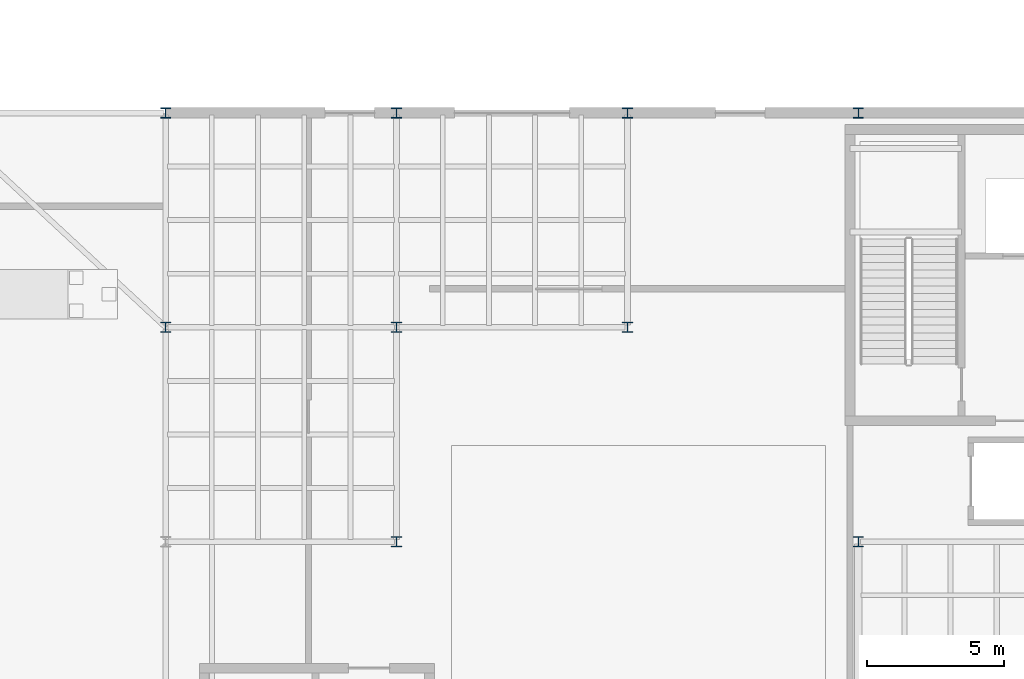
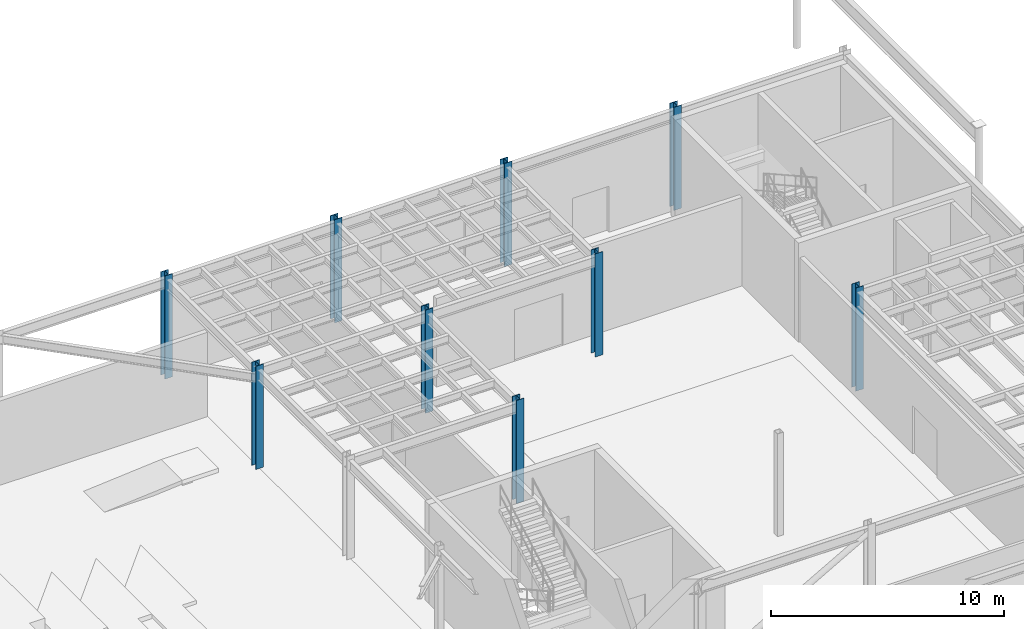
# One storey, part 6 of 87: 9 columns.
"""IFC4 building model written with IfcOpenShell, lengths in metres."""

from ifc_helpers import new_model, si_unit, direction, frame, origin, origin_2d, place, context, subcontext, project, spatial, i_section, extrude, material, material_profile, profile_set, type_object, element, save


model = new_model("IFC4")

# Units and contexts
model_context = context("Model", 3, precision=1e-05, world=origin(), true_north=direction((0.0, 1.0)))
body_context = subcontext(model_context, "Body", "Model", "MODEL_VIEW")
ifc_project = project(units=[si_unit("LENGTHUNIT", "METRE"), si_unit("AREAUNIT", "SQUARE_METRE"), si_unit("VOLUMEUNIT", "CUBIC_METRE"), si_unit("PLANEANGLEUNIT", "RADIAN"), si_unit("MASSUNIT", "GRAM", prefix="KILO")], contexts=[model_context])

# Site, building, storey
site_placement = place(None, origin())
site = spatial("IfcSite", under=ifc_project, at=site_placement, CompositionType="ELEMENT")
building_placement = place(site_placement, origin())
building = spatial("IfcBuilding", under=site, at=building_placement, Name="Selat Folded Stagehouse", CompositionType="ELEMENT")
storey_placement = place(building_placement, origin())
storey = spatial("IfcBuildingStorey", under=building, at=storey_placement, Name="L00", CompositionType="ELEMENT", Elevation=0.0)

# Columns
ifc_material = material(Name="Steel S355", Category="steel")
ifc_material_profile = material_profile(ifc_material, i_section(OverallWidth=0.374755859375, OverallDepth=0.37451171875, WebThickness=0.0166015625, FlangeThickness=0.027099609375, FilletRadius=0.01513671875, at=origin_2d()), Name="UKC 356x368x202")
ifc_profile_set = profile_set([ifc_material_profile], Name="Steel S355")
column_type = type_object("IfcColumnType", Name="COL-UKC-356x368x202", PredefinedType="COLUMN", material=ifc_profile_set)
for number, where, z_axis, x_axis, name in (
    (1, (33.60009765625, 46.800048828125, 0.0), (0.0, 0.0, 1.0), (1.0, 0.0, 0.0), "L00 column STK-V2-09"),
    (2, (33.60009765625, 54.60009765625, 0.0), (0.0, 0.0, 1.0), (1.0, 0.0, 0.0), "L00 column STK-V2-10"),
    (3, (42.0, 39.0, 0.0), (0.0, 0.0, 1.0), (1.0, 0.0, 0.0), "L00 column STK-V2-12"),
    (4, (42.0, 46.800048828125, 0.0), (0.0, 0.0, 1.0), (1.0, 0.0, 0.0), "L00 column STK-V2-13"),
    (5, (42.0, 54.60009765625, 0.0), (0.0, 0.0, 1.0), (1.0, 0.0, 0.0), "L00 column STK-V2-14"),
    (6, (50.39990234375, 46.800048828125, 0.0), (0.0, 0.0, 1.0), (1.0, 0.0, 0.0), "L00 column STK-V2-16"),
    (7, (50.39990234375, 54.60009765625, 0.0), (0.0, 0.0, 1.0), (1.0, 0.0, 0.0), "L00 column STK-V2-17"),
    (8, (58.800048828125, 39.0, 0.0), (0.0, 0.0, 1.0), (1.0, 0.0, 0.0), "L00 column STK-V2-19"),
    (9, (58.800048828125, 54.60009765625, 0.0), (0.0, 0.0, 1.0), (1.0, 0.0, 0.0), "L00 column STK-V2-20"),
):
    element("IfcColumn", number, at=place(storey_placement, frame(where, z_axis=z_axis, x_axis=x_axis)), inside=storey, type_object=column_type, Name=name, PredefinedType="COLUMN", context=body_context, shape_type="SweptSolid", body=[
        extrude(i_section(OverallWidth=0.374755859375, OverallDepth=0.37451171875, WebThickness=0.0166015625, FlangeThickness=0.027099609375, FilletRadius=0.01513671875, at=origin_2d()), origin(), (0.0, 0.0, 1.0), 5.39990234375),
    ])

save(model, "model.ifc")
